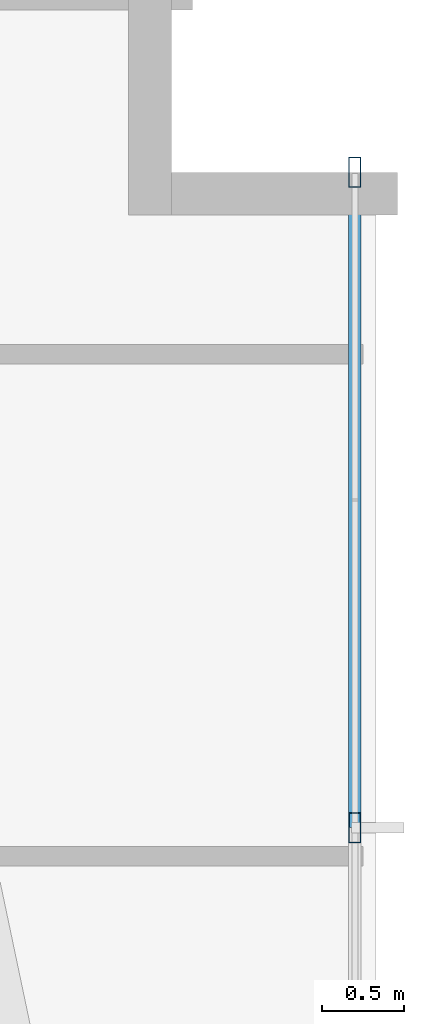
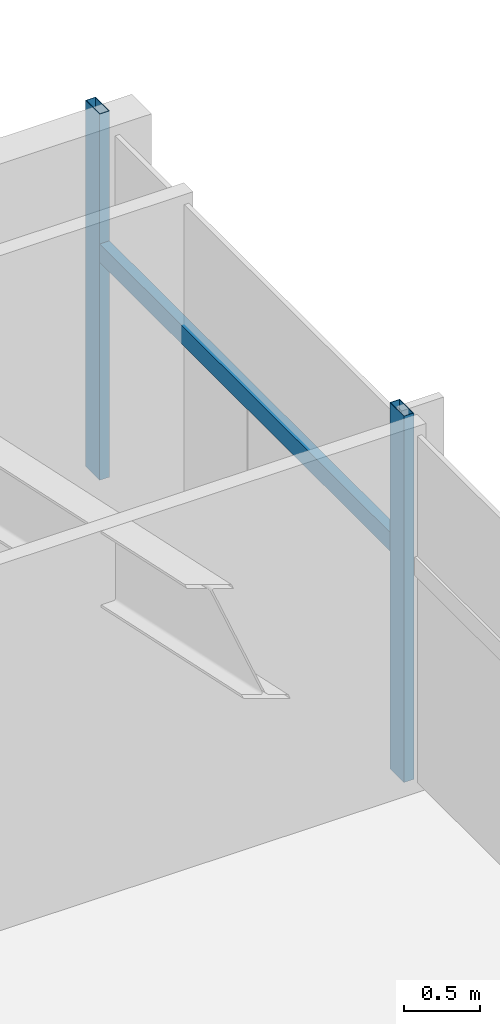
# One storey, part 17 of 25: 3 members, 1 element without a shape of its own.
"""IFC4 building model written with IfcOpenShell, lengths in metres."""

from ifc_helpers import new_model, si_unit, direction, frame, origin, origin_2d, place, context, subcontext, project, spatial, hollow_rectangle, extrude, source, transform, mapped, material, material_profile, profile_set, type_object, type_shapes, element, aggregate, save


model = new_model("IFC4")

# Units and contexts
model_context = context("Model", 3, precision=1e-05, world=origin(), true_north=direction((0.0, 1.0)))
body_context = subcontext(model_context, "Body", "Model", "MODEL_VIEW")
ifc_project = project(units=[si_unit("LENGTHUNIT", "METRE"), si_unit("AREAUNIT", "SQUARE_METRE"), si_unit("VOLUMEUNIT", "CUBIC_METRE"), si_unit("PLANEANGLEUNIT", "RADIAN"), si_unit("MASSUNIT", "GRAM", prefix="KILO")], contexts=[model_context])

# Site, building, storey
site_placement = place(None, origin())
site = spatial("IfcSite", under=ifc_project, at=site_placement, CompositionType="ELEMENT")
building_placement = place(site_placement, origin())
building = spatial("IfcBuilding", under=site, at=building_placement, Name="Astriad Promenade Condominiums", CompositionType="ELEMENT")
storey_placement = place(building_placement, frame((0.0, 0.0, 39.0)))
storey = spatial("IfcBuildingStorey", under=building, at=storey_placement, Name="L10", CompositionType="ELEMENT", Elevation=39.0)

# Curtain wall, members
ifc_material_1 = material(Name="Anodised aluminium Black Dark Glass Unitised", Category="aluminium")
curtain_wall_type = type_object("IfcCurtainWallType", Name="CW-B1-DARK", PredefinedType="USERDEFINED", material=ifc_material_1)
curtain_wall_placement = place(storey_placement, origin())
curtain_wall = element("IfcCurtainWall", 1, at=curtain_wall_placement, inside=storey, type_object=curtain_wall_type, Name="CW-L10-E", ObjectType="UNITISED_CURTAIN_WALL", PredefinedType="USERDEFINED")
ifc_material_2 = material(Name="Anodised aluminium 6063-T6 Black", Category="aluminium")
ifc_material_profile_1 = material_profile(ifc_material_2, hollow_rectangle(XDim=0.074951171875, YDim=0.18505859375, WallThickness=0.00439453125, at=origin_2d()), Name="ALU-MUL-75X185")
ifc_profile_set_1 = profile_set([ifc_material_profile_1], Name="Anodised aluminium 6063-T6 Black")
member_type_1 = type_object("IfcMemberType", Name="MUL-ALU-MUL-75X185", PredefinedType="MULLION", material=ifc_profile_set_1)
shared_shape_1 = source(origin(), body_context, "Body", "SweptSolid", [
    extrude(hollow_rectangle(XDim=0.074951171875, YDim=0.18505859375, WallThickness=0.00439453125, at=origin_2d()), origin(), (0.0, 0.0, 1.0), 2.93994140625),
])
type_shapes(member_type_1, [shared_shape_1])
member_1_placement = place(storey_placement, frame((59.669921875, 25.199951171875, 0.0), z_axis=(0.0, 0.0, 1.0), x_axis=(1.0, 0.0, 0.0)))
member_1 = element("IfcMember", 2, at=member_1_placement, type_object=member_type_1, Name="CW-L10-E-MUL-00", PredefinedType="MULLION", context=body_context, shape_type="MappedRepresentation", body=[
    mapped(shared_shape_1, transform((0.0, 0.0, 0.0), scale=1.0)),
])
member_2_placement = place(storey_placement, frame((59.669921875, 21.199951171875, 0.0), z_axis=(0.0, 0.0, 1.0), x_axis=(1.0, 0.0, 0.0)))
member_2 = element("IfcMember", 3, at=member_2_placement, type_object=member_type_1, Name="CW-L10-E-MUL-01", PredefinedType="MULLION", context=body_context, shape_type="MappedRepresentation", body=[
    mapped(shared_shape_1, transform((0.0, 0.0, 0.0), scale=1.0)),
])
ifc_material_profile_2 = material_profile(ifc_material_2, hollow_rectangle(XDim=0.074951171875, YDim=0.14990234375, WallThickness=0.004150390625, at=origin_2d()), Name="ALU-TRN-75X150")
ifc_profile_set_2 = profile_set([ifc_material_profile_2], Name="Anodised aluminium 6063-T6 Black")
member_type_2 = type_object("IfcMemberType", Name="TRN-ALU-TRN-75X150", PredefinedType="USERDEFINED", material=ifc_profile_set_2)
shared_shape_2 = source(origin(), body_context, "Body", "SweptSolid", [
    extrude(hollow_rectangle(XDim=0.074951171875, YDim=0.14990234375, WallThickness=0.004150390625, at=origin_2d()), origin(), (0.0, 0.0, 1.0), 4.0),
])
type_shapes(member_type_2, [shared_shape_2])
member_3_placement = place(storey_placement, frame((59.669921875, 25.199951171875, 1.82275390625), z_axis=(0.0, -1.0, 0.0), x_axis=(1.0, 0.0, 0.0)))
member_3 = element("IfcMember", 4, at=member_3_placement, type_object=member_type_2, Name="CW-L10-E-TRN-00-0", ObjectType="TRANSOM", PredefinedType="USERDEFINED", context=body_context, shape_type="MappedRepresentation", body=[
    mapped(shared_shape_2, transform((0.0, 0.0, 0.0), scale=1.0)),
])
aggregate(curtain_wall, [member_1, member_2, member_3])

save(model, "model.ifc")
